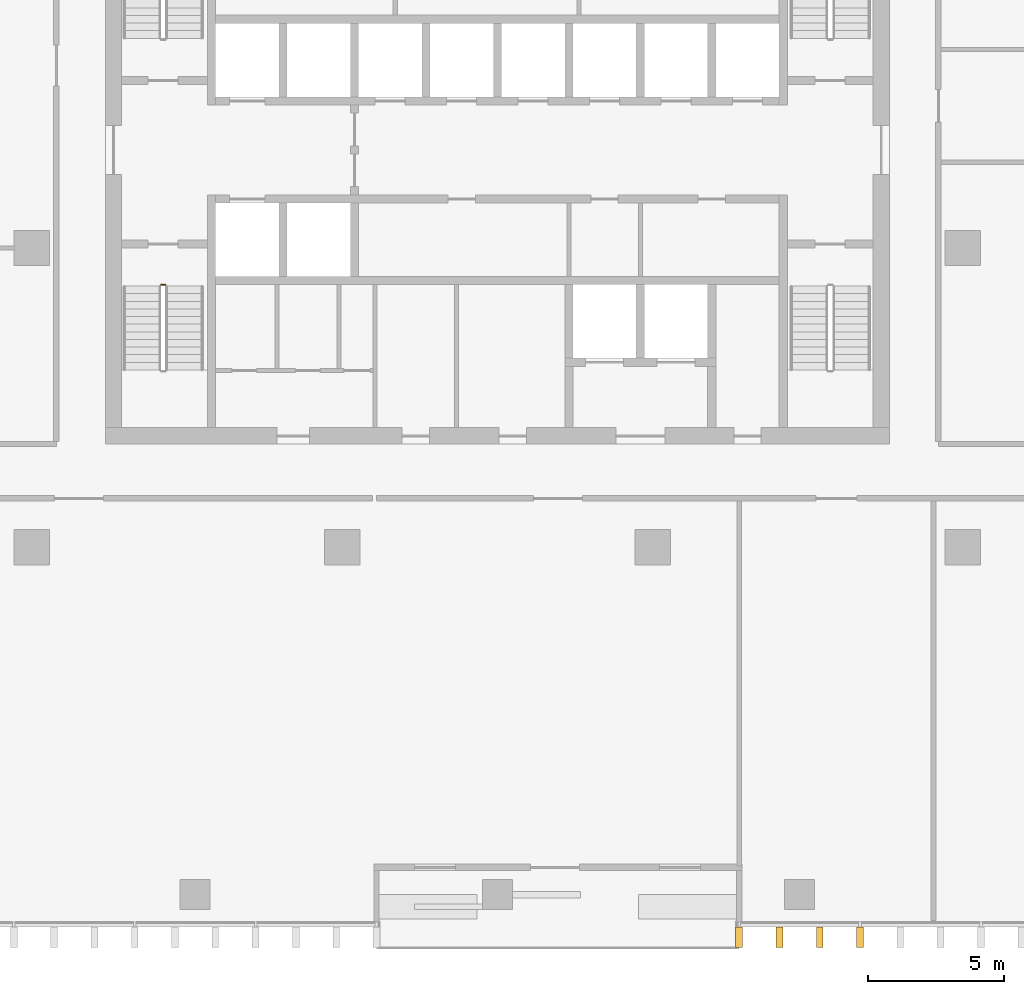
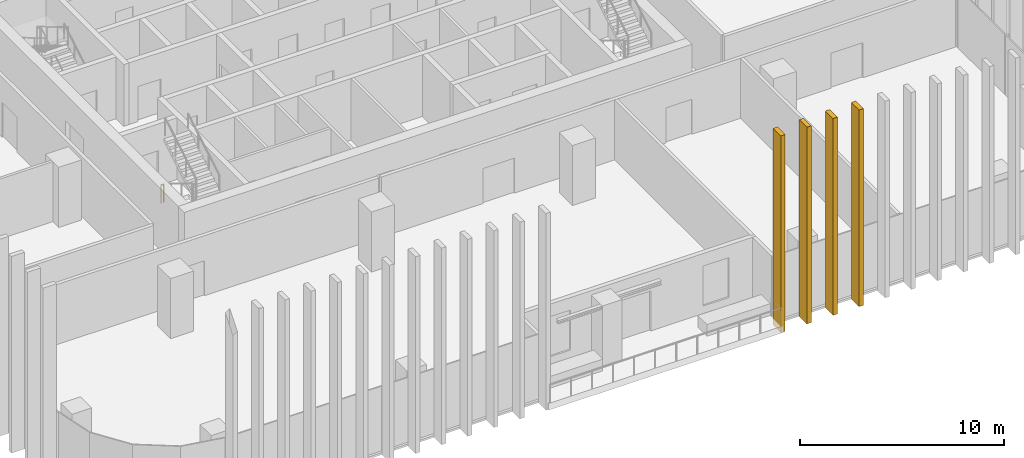
# One storey, part 12 of 16: 4 shading devices, 1 railing.
"""IFC4 building model written with IfcOpenShell, lengths in metres."""

from ifc_helpers import new_model, si_unit, direction, frame, origin, origin_2d, place, context, subcontext, project, spatial, rectangle, circle, extrude, material, type_object, element, save


model = new_model("IFC4")

# Units and contexts
model_context = context("Model", 3, precision=1e-05, world=origin(), true_north=direction((0.0, 1.0)))
body_context = subcontext(model_context, "Body", "Model", "MODEL_VIEW")
ifc_project = project(units=[si_unit("LENGTHUNIT", "METRE"), si_unit("AREAUNIT", "SQUARE_METRE"), si_unit("VOLUMEUNIT", "CUBIC_METRE"), si_unit("PLANEANGLEUNIT", "RADIAN"), si_unit("MASSUNIT", "GRAM", prefix="KILO")], contexts=[model_context])

# Site, building, storey
site_placement = place(None, origin())
site = spatial("IfcSite", under=ifc_project, at=site_placement, CompositionType="ELEMENT")
building_placement = place(site_placement, origin())
building = spatial("IfcBuilding", under=site, at=building_placement, Name="Mopane Tessera Tower", CompositionType="ELEMENT")
storey_placement = place(building_placement, frame((0.0, 0.0, 247.0)))
storey = spatial("IfcBuildingStorey", under=building, at=storey_placement, Name="L53", CompositionType="ELEMENT", Elevation=247.0)

# Shading devices
ifc_material_1 = material(Name="Glazed ceramic tile")
shading_device_type = type_object("IfcShadingDeviceType", Name="Ceramic tile fin 750 x 250 mm", PredefinedType="USERDEFINED", material=ifc_material_1)
for number, where, z_axis, x_axis, name in (
    (1, (8.8798828125, -25.324951171875, -0.39990234375), (0.0, 0.0, 1.0), (1.0, 0.0, 0.0), "e:fin:L53:S:7:0"),
    (2, (10.360107421875, -25.324951171875, -0.39990234375), (0.0, 0.0, 1.0), (1.0, 0.0, 0.0), "e:fin:L53:S:7:1"),
    (3, (11.840087890625, -25.324951171875, -0.39990234375), (0.0, 0.0, 1.0), (1.0, 0.0, 0.0), "e:fin:L53:S:7:2"),
    (4, (13.320068359375, -25.324951171875, -0.39990234375), (0.0, 0.0, 1.0), (1.0, 0.0, 0.0), "e:fin:L53:S:8:0"),
):
    element("IfcShadingDevice", number, at=place(storey_placement, frame(where, z_axis=z_axis, x_axis=x_axis)), inside=storey, type_object=shading_device_type, Name=name, ObjectType="FIN", PredefinedType="USERDEFINED", context=body_context, shape_type="SweptSolid", body=[
        extrude(rectangle(XDim=0.25, YDim=0.75, at=origin_2d()), origin(), (0.0, 0.0, 1.0), 11.800048828125),
    ])

# Railing
ifc_material_2 = material(Name="Powder-coated steel balustrade", Category="steel")
railing_type = type_object("IfcRailingType", Name="Escape stair guard 1100 mm", PredefinedType="GUARDRAIL", material=ifc_material_2)
railing_placement = place(storey_placement, frame((-12.35009765625, -1.35009765625, 0.0)))
element("IfcRailing", 5, at=railing_placement, inside=storey, type_object=railing_type, Name="L53 ST1 stair guard 3", PredefinedType="GUARDRAIL", context=body_context, shape_type="SweptSolid", body=[
    extrude(circle(Radius=0.02392578125, at=origin_2d()), frame((0.0, 0.0, 1.076171875), z_axis=(1.0, 0.0, 0.0), x_axis=(0.0, 1.0, 0.0)), (0.0, 0.0, 1.0), 0.150146484375),
    extrude(circle(Radius=0.02099609375, at=origin_2d()), origin(), (0.0, 0.0, 1.0), 1.052001953125),
    extrude(circle(Radius=0.02099609375, at=origin_2d()), frame((0.150146484375, 0.0, 0.0)), (0.0, 0.0, 1.0), 1.052001953125),
])

save(model, "model.ifc")
